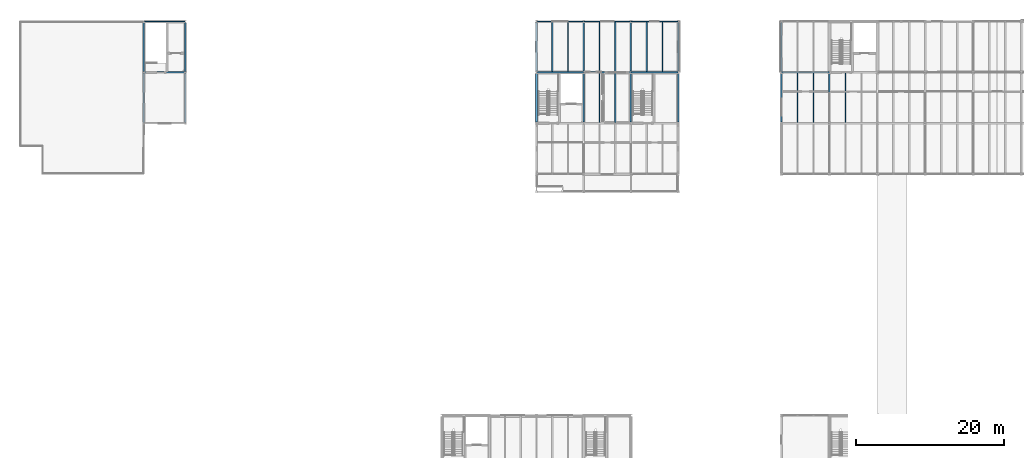
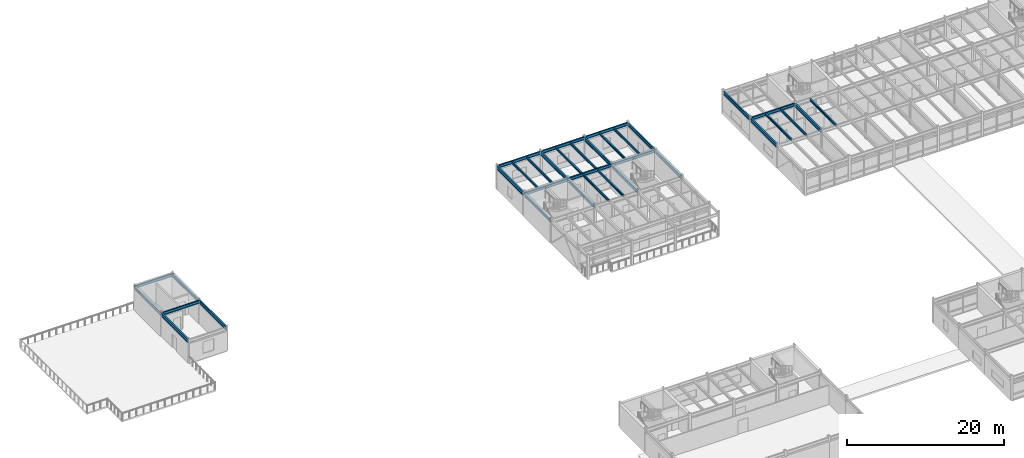
# One storey, part 20 of 49: 35 beams.
"""IFC4 building model written with IfcOpenShell, lengths in metres."""

from ifc_helpers import new_model, si_unit, direction, frame, origin, origin_2d, place, context, subcontext, project, spatial, i_section, extrude, material, material_profile, profile_set, type_object, element, save


model = new_model("IFC4")

# Units and contexts
model_context = context("Model", 3, precision=1e-05, world=origin(), true_north=direction((0.0, 1.0)))
body_context = subcontext(model_context, "Body", "Model", "MODEL_VIEW")
ifc_project = project(units=[si_unit("LENGTHUNIT", "METRE"), si_unit("AREAUNIT", "SQUARE_METRE"), si_unit("VOLUMEUNIT", "CUBIC_METRE"), si_unit("PLANEANGLEUNIT", "RADIAN"), si_unit("MASSUNIT", "GRAM", prefix="KILO")], contexts=[model_context])

# Site, building, storey
site_placement = place(None, origin())
site = spatial("IfcSite", under=ifc_project, at=site_placement, CompositionType="ELEMENT")
building_placement = place(site_placement, origin())
building = spatial("IfcBuilding", under=site, at=building_placement, Name="Trelmorton Wharf Fire Station", CompositionType="ELEMENT")
storey_placement = place(building_placement, frame((0.0, 0.0, 9.60009765625)))
storey = spatial("IfcBuildingStorey", under=building, at=storey_placement, Name="L02", CompositionType="ELEMENT", Elevation=9.60009765625)

# Beams
ifc_material = material(Name="Steel Grade 350", Category="steel")
ifc_material_profile_1 = material_profile(ifc_material, i_section(OverallWidth=0.19091796875, OverallDepth=0.4599609375, WebThickness=0.010009765625, FlangeThickness=0.01611328125, FilletRadius=0.011474609375, at=origin_2d()), Name="460UB82.1")
ifc_profile_set_1 = profile_set([ifc_material_profile_1], Name="Steel Grade 350")
beam_type_1 = type_object("IfcBeamType", Name="BM_460UB82", PredefinedType="BEAM", material=ifc_profile_set_1)
beam_1_placement = place(storey_placement, frame((17.60400390625, 74.10009765625, 3.39990234375), z_axis=(1.0, 0.0, 0.0), x_axis=(0.0, 1.0, 0.0)))
element("IfcBeam", 1, at=beam_1_placement, inside=storey, type_object=beam_type_1, Name="BM-L02-0758", PredefinedType="BEAM", context=body_context, shape_type="SweptSolid", body=[
    extrude(i_section(OverallWidth=0.19091796875, OverallDepth=0.4599609375, WebThickness=0.010009765625, FlangeThickness=0.01611328125, FilletRadius=0.011474609375, at=origin_2d()), origin(), (0.0, 0.0, 1.0), 5.592041015625),
])
beam_2_placement = place(storey_placement, frame((70.804931640625, 74.10009765625, 3.39990234375), z_axis=(1.0, 0.0, 0.0), x_axis=(0.0, 1.0, 0.0)))
element("IfcBeam", 2, at=beam_2_placement, inside=storey, type_object=beam_type_1, Name="BM-L02-0759", PredefinedType="BEAM", context=body_context, shape_type="SweptSolid", body=[
    extrude(i_section(OverallWidth=0.19091796875, OverallDepth=0.4599609375, WebThickness=0.010009765625, FlangeThickness=0.01611328125, FilletRadius=0.011474609375, at=origin_2d()), origin(), (0.0, 0.0, 1.0), 6.39013671875),
])
beam_3_placement = place(storey_placement, frame((77.204833984375, 74.10009765625, 3.39990234375), z_axis=(1.0, 0.0, 0.0), x_axis=(0.0, 1.0, 0.0)))
element("IfcBeam", 3, at=beam_3_placement, inside=storey, type_object=beam_type_1, Name="BM-L02-0760", PredefinedType="BEAM", context=body_context, shape_type="SweptSolid", body=[
    extrude(i_section(OverallWidth=0.19091796875, OverallDepth=0.4599609375, WebThickness=0.010009765625, FlangeThickness=0.01611328125, FilletRadius=0.011474609375, at=origin_2d()), origin(), (0.0, 0.0, 1.0), 6.390380859375),
])
beam_4_placement = place(storey_placement, frame((83.60498046875, 74.10009765625, 3.39990234375), z_axis=(1.0, 0.0, 0.0), x_axis=(0.0, 1.0, 0.0)))
element("IfcBeam", 4, at=beam_4_placement, inside=storey, type_object=beam_type_1, Name="BM-L02-0761", PredefinedType="BEAM", context=body_context, shape_type="SweptSolid", body=[
    extrude(i_section(OverallWidth=0.19091796875, OverallDepth=0.4599609375, WebThickness=0.010009765625, FlangeThickness=0.01611328125, FilletRadius=0.011474609375, at=origin_2d()), origin(), (0.0, 0.0, 1.0), 6.39013671875),
])
beam_5_placement = place(storey_placement, frame((104.00390625, 74.10009765625, 3.39990234375), z_axis=(1.0, 0.0, 0.0), x_axis=(0.0, 1.0, 0.0)))
element("IfcBeam", 5, at=beam_5_placement, inside=storey, type_object=beam_type_1, Name="BM-L02-0762", PredefinedType="BEAM", context=body_context, shape_type="SweptSolid", body=[
    extrude(i_section(OverallWidth=0.19091796875, OverallDepth=0.4599609375, WebThickness=0.010009765625, FlangeThickness=0.01611328125, FilletRadius=0.011474609375, at=origin_2d()), origin(), (0.0, 0.0, 1.0), 6.4921875),
])
ifc_material_profile_2 = material_profile(ifc_material, i_section(OverallWidth=0.208984375, OverallDepth=0.532958984375, WebThickness=0.01025390625, FlangeThickness=0.015625, FilletRadius=0.013916015625, at=origin_2d()), Name="530UB92.4")
ifc_profile_set_2 = profile_set([ifc_material_profile_2], Name="Steel Grade 350")
beam_type_2 = type_object("IfcBeamType", Name="BM_530UB92", PredefinedType="BEAM", material=ifc_profile_set_2)
for number, where, z_axis, x_axis, name in (
    (6, (17.60009765625, 67.301025390625, 3.36328125), (0.0, 1.0, 0.0), (-1.0, 0.0, 0.0), "BM-L02-0784"),
    (7, (17.60009765625, 74.200927734375, 3.36328125), (0.0, 1.0, 0.0), (-1.0, 0.0, 0.0), "BM-L02-0785"),
    (8, (23.199951171875, 67.301025390625, 3.36328125), (0.0, 1.0, 0.0), (-1.0, 0.0, 0.0), "BM-L02-0786"),
    (9, (23.199951171875, 74.200927734375, 3.36328125), (0.0, 1.0, 0.0), (-1.0, 0.0, 0.0), "BM-L02-0787"),
):
    element("IfcBeam", number, at=place(storey_placement, frame(where, z_axis=z_axis, x_axis=x_axis)), inside=storey, type_object=beam_type_2, Name=name, PredefinedType="BEAM", context=body_context, shape_type="SweptSolid", body=[
        extrude(i_section(OverallWidth=0.208984375, OverallDepth=0.532958984375, WebThickness=0.01025390625, FlangeThickness=0.015625, FilletRadius=0.013916015625, at=origin_2d()), origin(), (0.0, 0.0, 1.0), 6.697998046875),
    ])
beam_6_placement = place(storey_placement, frame((70.800048828125, 67.3564453125, 3.36328125), z_axis=(0.0, 1.0, 0.0), x_axis=(-1.0, 0.0, 0.0)))
element("IfcBeam", 10, at=beam_6_placement, inside=storey, type_object=beam_type_2, Name="BM-L02-0795", PredefinedType="BEAM", context=body_context, shape_type="SweptSolid", body=[
    extrude(i_section(OverallWidth=0.208984375, OverallDepth=0.532958984375, WebThickness=0.01025390625, FlangeThickness=0.015625, FilletRadius=0.013916015625, at=origin_2d()), origin(), (0.0, 0.0, 1.0), 6.587158203125),
])
beam_7_placement = place(storey_placement, frame((70.800048828125, 74.256591796875, 3.36328125), z_axis=(0.0, 1.0, 0.0), x_axis=(-1.0, 0.0, 0.0)))
element("IfcBeam", 11, at=beam_7_placement, inside=storey, type_object=beam_type_2, Name="BM-L02-0796", PredefinedType="BEAM", context=body_context, shape_type="SweptSolid", body=[
    extrude(i_section(OverallWidth=0.208984375, OverallDepth=0.532958984375, WebThickness=0.01025390625, FlangeThickness=0.015625, FilletRadius=0.013916015625, at=origin_2d()), origin(), (0.0, 0.0, 1.0), 6.5869140625),
])
beam_8_placement = place(storey_placement, frame((77.199951171875, 67.3564453125, 3.36328125), z_axis=(0.0, 1.0, 0.0), x_axis=(-1.0, 0.0, 0.0)))
element("IfcBeam", 12, at=beam_8_placement, inside=storey, type_object=beam_type_2, Name="BM-L02-0800", PredefinedType="BEAM", context=body_context, shape_type="SweptSolid", body=[
    extrude(i_section(OverallWidth=0.208984375, OverallDepth=0.532958984375, WebThickness=0.01025390625, FlangeThickness=0.015625, FilletRadius=0.013916015625, at=origin_2d()), origin(), (0.0, 0.0, 1.0), 6.587158203125),
])
beam_9_placement = place(storey_placement, frame((77.199951171875, 74.256591796875, 3.36328125), z_axis=(0.0, 1.0, 0.0), x_axis=(-1.0, 0.0, 0.0)))
element("IfcBeam", 13, at=beam_9_placement, inside=storey, type_object=beam_type_2, Name="BM-L02-0801", PredefinedType="BEAM", context=body_context, shape_type="SweptSolid", body=[
    extrude(i_section(OverallWidth=0.208984375, OverallDepth=0.532958984375, WebThickness=0.01025390625, FlangeThickness=0.015625, FilletRadius=0.013916015625, at=origin_2d()), origin(), (0.0, 0.0, 1.0), 6.5869140625),
])
beam_10_placement = place(storey_placement, frame((83.60009765625, 67.3564453125, 3.36328125), z_axis=(0.0, 1.0, 0.0), x_axis=(-1.0, 0.0, 0.0)))
element("IfcBeam", 14, at=beam_10_placement, inside=storey, type_object=beam_type_2, Name="BM-L02-0807", PredefinedType="BEAM", context=body_context, shape_type="SweptSolid", body=[
    extrude(i_section(OverallWidth=0.208984375, OverallDepth=0.532958984375, WebThickness=0.01025390625, FlangeThickness=0.015625, FilletRadius=0.013916015625, at=origin_2d()), origin(), (0.0, 0.0, 1.0), 6.587158203125),
])
beam_11_placement = place(storey_placement, frame((83.60009765625, 74.256591796875, 3.36328125), z_axis=(0.0, 1.0, 0.0), x_axis=(-1.0, 0.0, 0.0)))
element("IfcBeam", 15, at=beam_11_placement, inside=storey, type_object=beam_type_2, Name="BM-L02-0808", PredefinedType="BEAM", context=body_context, shape_type="SweptSolid", body=[
    extrude(i_section(OverallWidth=0.208984375, OverallDepth=0.532958984375, WebThickness=0.01025390625, FlangeThickness=0.015625, FilletRadius=0.013916015625, at=origin_2d()), origin(), (0.0, 0.0, 1.0), 6.5869140625),
])
beam_12_placement = place(storey_placement, frame((90.0, 67.3564453125, 3.36328125), z_axis=(0.0, 1.0, 0.0), x_axis=(-1.0, 0.0, 0.0)))
element("IfcBeam", 16, at=beam_12_placement, inside=storey, type_object=beam_type_2, Name="BM-L02-0811", PredefinedType="BEAM", context=body_context, shape_type="SweptSolid", body=[
    extrude(i_section(OverallWidth=0.208984375, OverallDepth=0.532958984375, WebThickness=0.01025390625, FlangeThickness=0.015625, FilletRadius=0.013916015625, at=origin_2d()), origin(), (0.0, 0.0, 1.0), 6.587158203125),
])
beam_13_placement = place(storey_placement, frame((90.0, 74.256591796875, 3.36328125), z_axis=(0.0, 1.0, 0.0), x_axis=(-1.0, 0.0, 0.0)))
element("IfcBeam", 17, at=beam_13_placement, inside=storey, type_object=beam_type_2, Name="BM-L02-0812", PredefinedType="BEAM", context=body_context, shape_type="SweptSolid", body=[
    extrude(i_section(OverallWidth=0.208984375, OverallDepth=0.532958984375, WebThickness=0.01025390625, FlangeThickness=0.015625, FilletRadius=0.013916015625, at=origin_2d()), origin(), (0.0, 0.0, 1.0), 6.5869140625),
])
for number, where, z_axis, x_axis, name in (
    (18, (104.0, 67.353515625, 3.36328125), (0.0, 1.0, 0.0), (-1.0, 0.0, 0.0), "BM-L02-0817"),
    (19, (104.0, 74.25341796875, 3.36328125), (0.0, 1.0, 0.0), (-1.0, 0.0, 0.0), "BM-L02-0818"),
    (20, (110.5, 67.353515625, 3.36328125), (0.0, 1.0, 0.0), (-1.0, 0.0, 0.0), "BM-L02-0823"),
):
    element("IfcBeam", number, at=place(storey_placement, frame(where, z_axis=z_axis, x_axis=x_axis)), inside=storey, type_object=beam_type_2, Name=name, PredefinedType="BEAM", context=body_context, shape_type="SweptSolid", body=[
        extrude(i_section(OverallWidth=0.208984375, OverallDepth=0.532958984375, WebThickness=0.01025390625, FlangeThickness=0.015625, FilletRadius=0.013916015625, at=origin_2d()), origin(), (0.0, 0.0, 1.0), 6.593017578125),
    ])
ifc_material_profile_3 = material_profile(ifc_material, i_section(OverallWidth=0.172119140625, OverallDepth=0.35888671875, WebThickness=0.008056640625, FlangeThickness=0.012939453125, FilletRadius=0.011474609375, at=origin_2d()), Name="360UB56.7")
ifc_profile_set_3 = profile_set([ifc_material_profile_3], Name="Steel Grade 350")
beam_type_3 = type_object("IfcBeamType", Name="JS_360UB57", PredefinedType="JOIST", material=ifc_profile_set_3)
for number, where, z_axis, x_axis, name in (
    (21, (72.933349609375, 74.18994140625, 3.450439453125), (0.0, 1.0, 0.0), (-1.0, 0.0, 0.0), "JS-L02-0231"),
    (22, (75.066650390625, 74.18994140625, 3.450439453125), (0.0, 1.0, 0.0), (-1.0, 0.0, 0.0), "JS-L02-0232"),
    (23, (79.333251953125, 67.2900390625, 3.450439453125), (0.0, 1.0, 0.0), (-1.0, 0.0, 0.0), "JS-L02-0235"),
    (24, (81.466796875, 67.2900390625, 3.450439453125), (0.0, 1.0, 0.0), (-1.0, 0.0, 0.0), "JS-L02-0236"),
    (25, (79.333251953125, 74.18994140625, 3.450439453125), (0.0, 1.0, 0.0), (-1.0, 0.0, 0.0), "JS-L02-0237"),
    (26, (81.466796875, 74.18994140625, 3.450439453125), (0.0, 1.0, 0.0), (-1.0, 0.0, 0.0), "JS-L02-0238"),
    (27, (85.7333984375, 74.18994140625, 3.450439453125), (0.0, 1.0, 0.0), (-1.0, 0.0, 0.0), "JS-L02-0241"),
    (28, (87.86669921875, 74.18994140625, 3.450439453125), (0.0, 1.0, 0.0), (-1.0, 0.0, 0.0), "JS-L02-0242"),
    (29, (106.166748046875, 67.2900390625, 3.450439453125), (0.0, 1.0, 0.0), (-1.0, 0.0, 0.0), "JS-L02-0245"),
    (30, (108.333251953125, 67.2900390625, 3.450439453125), (0.0, 1.0, 0.0), (-1.0, 0.0, 0.0), "JS-L02-0246"),
    (31, (112.666748046875, 67.2900390625, 3.450439453125), (0.0, 1.0, 0.0), (-1.0, 0.0, 0.0), "JS-L02-0255"),
):
    element("IfcBeam", number, at=place(storey_placement, frame(where, z_axis=z_axis, x_axis=x_axis)), inside=storey, type_object=beam_type_3, Name=name, PredefinedType="JOIST", context=body_context, shape_type="SweptSolid", body=[
        extrude(i_section(OverallWidth=0.172119140625, OverallDepth=0.35888671875, WebThickness=0.008056640625, FlangeThickness=0.012939453125, FilletRadius=0.011474609375, at=origin_2d()), origin(), (0.0, 0.0, 1.0), 6.719970703125),
    ])
ifc_material_profile_4 = material_profile(ifc_material, i_section(OverallWidth=0.18994140625, OverallDepth=0.45703125, WebThickness=0.009033203125, FlangeThickness=0.014404296875, FilletRadius=0.011474609375, at=origin_2d()), Name="460UB74.6")
ifc_profile_set_4 = profile_set([ifc_material_profile_4], Name="Steel Grade 350")
beam_type_4 = type_object("IfcBeamType", Name="SP_460UB75", PredefinedType="SPANDREL", material=ifc_profile_set_4)
beam_14_placement = place(storey_placement, frame((17.60400390625, 81.0, 3.4013671875), z_axis=(1.0, 0.0, 0.0), x_axis=(0.0, 1.0, 0.0)))
element("IfcBeam", 32, at=beam_14_placement, inside=storey, type_object=beam_type_4, Name="BM-L02-0771", PredefinedType="SPANDREL", context=body_context, shape_type="SweptSolid", body=[
    extrude(i_section(OverallWidth=0.18994140625, OverallDepth=0.45703125, WebThickness=0.009033203125, FlangeThickness=0.014404296875, FilletRadius=0.011474609375, at=origin_2d()), origin(), (0.0, 0.0, 1.0), 5.592041015625),
])
beam_15_placement = place(storey_placement, frame((70.804931640625, 81.0, 3.4013671875), z_axis=(1.0, 0.0, 0.0), x_axis=(0.0, 1.0, 0.0)))
element("IfcBeam", 33, at=beam_15_placement, inside=storey, type_object=beam_type_4, Name="BM-L02-0772", PredefinedType="SPANDREL", context=body_context, shape_type="SweptSolid", body=[
    extrude(i_section(OverallWidth=0.18994140625, OverallDepth=0.45703125, WebThickness=0.009033203125, FlangeThickness=0.014404296875, FilletRadius=0.011474609375, at=origin_2d()), origin(), (0.0, 0.0, 1.0), 6.39013671875),
])
beam_16_placement = place(storey_placement, frame((77.204833984375, 81.0, 3.4013671875), z_axis=(1.0, 0.0, 0.0), x_axis=(0.0, 1.0, 0.0)))
element("IfcBeam", 34, at=beam_16_placement, inside=storey, type_object=beam_type_4, Name="BM-L02-0773", PredefinedType="SPANDREL", context=body_context, shape_type="SweptSolid", body=[
    extrude(i_section(OverallWidth=0.18994140625, OverallDepth=0.45703125, WebThickness=0.009033203125, FlangeThickness=0.014404296875, FilletRadius=0.011474609375, at=origin_2d()), origin(), (0.0, 0.0, 1.0), 6.390380859375),
])
beam_17_placement = place(storey_placement, frame((83.60498046875, 81.0, 3.4013671875), z_axis=(1.0, 0.0, 0.0), x_axis=(0.0, 1.0, 0.0)))
element("IfcBeam", 35, at=beam_17_placement, inside=storey, type_object=beam_type_4, Name="BM-L02-0774", PredefinedType="SPANDREL", context=body_context, shape_type="SweptSolid", body=[
    extrude(i_section(OverallWidth=0.18994140625, OverallDepth=0.45703125, WebThickness=0.009033203125, FlangeThickness=0.014404296875, FilletRadius=0.011474609375, at=origin_2d()), origin(), (0.0, 0.0, 1.0), 6.39013671875),
])

save(model, "model.ifc")
